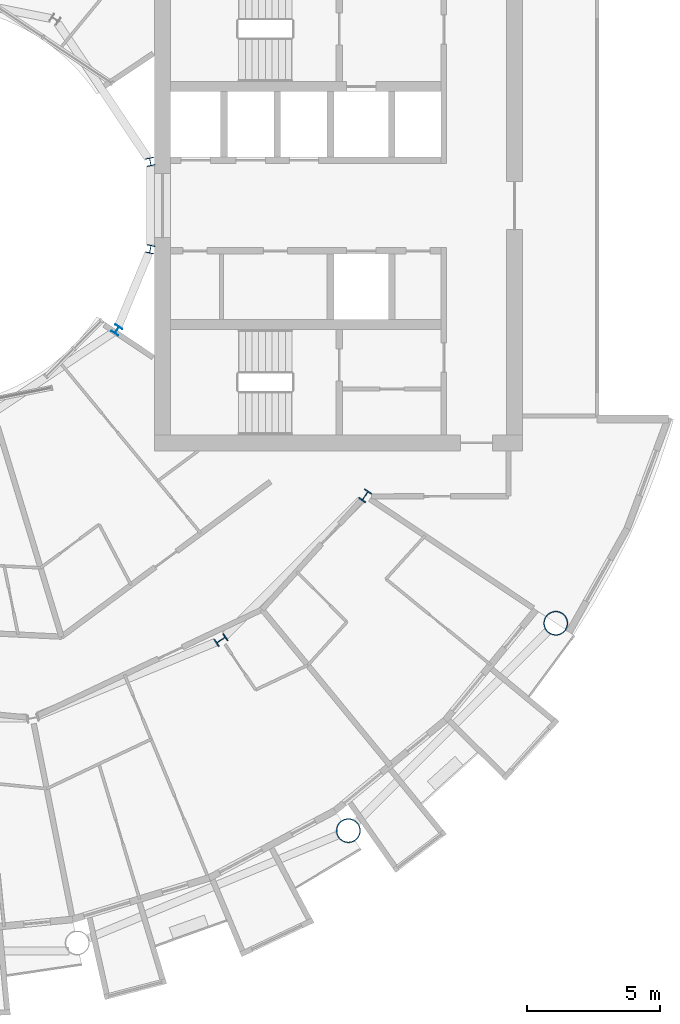
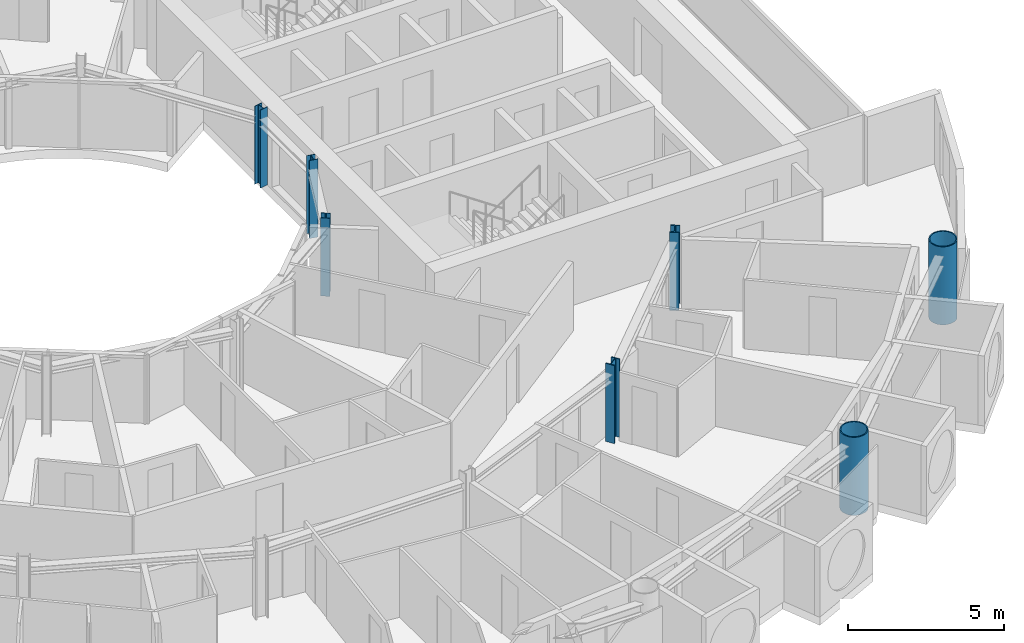
# One storey, part 2 of 27: 7 columns.
"""IFC4 building model written with IfcOpenShell, lengths in metres."""

from ifc_helpers import new_model, si_unit, direction, frame, origin, origin_2d, place, context, subcontext, project, spatial, hollow_circle, i_section, extrude, material, material_profile, profile_set, type_object, element, save


model = new_model("IFC4")

# Units and contexts
model_context = context("Model", 3, precision=1e-05, world=origin(), true_north=direction((0.0, 1.0)))
body_context = subcontext(model_context, "Body", "Model", "MODEL_VIEW")
ifc_project = project(units=[si_unit("LENGTHUNIT", "METRE"), si_unit("AREAUNIT", "SQUARE_METRE"), si_unit("VOLUMEUNIT", "CUBIC_METRE"), si_unit("PLANEANGLEUNIT", "RADIAN"), si_unit("MASSUNIT", "GRAM", prefix="KILO")], contexts=[model_context])

# Site, building, storey
site_placement = place(None, origin())
site = spatial("IfcSite", under=ifc_project, at=site_placement, CompositionType="ELEMENT")
building_placement = place(site_placement, origin())
building = spatial("IfcBuilding", under=site, at=building_placement, Name="Maasbend Ring Residences", CompositionType="ELEMENT")
storey_placement = place(building_placement, frame((0.0, 0.0, 114.699951171875)))
storey = spatial("IfcBuildingStorey", under=building, at=storey_placement, Name="L32", CompositionType="ELEMENT", Elevation=114.699951171875)

# Columns
ifc_material_1 = material(Name="Composite concrete-filled steel tube S460NH / C80/95", Category="concrete")
ifc_material_profile_1 = material_profile(ifc_material_1, hollow_circle(Radius=0.45703125, WallThickness=0.0400390625, at=origin_2d()), Name="Composite tube column CHS 914x40")
ifc_profile_set_1 = profile_set([ifc_material_profile_1], Name="Composite concrete-filled steel tube S460NH / C80/95")
column_type_1 = type_object("IfcColumnType", Name="Composite tube column CHS 914x40", PredefinedType="COLUMN", material=ifc_profile_set_1)
for number, where, z_axis, x_axis, name in (
    (1, (15.6669921875, -23.447509765625, 0.0), (0.0, 0.0, 1.0), (1.0, 0.0, 0.0), "Outer column R14"),
    (2, (23.447509765625, -15.6669921875, 0.0), (0.0, 0.0, 1.0), (1.0, 0.0, 0.0), "Outer column R15"),
):
    element("IfcColumn", number, at=place(storey_placement, frame(where, z_axis=z_axis, x_axis=x_axis)), inside=storey, type_object=column_type_1, Name=name, PredefinedType="COLUMN", context=body_context, shape_type="SweptSolid", body=[
        extrude(hollow_circle(Radius=0.45703125, WallThickness=0.0400390625, at=origin_2d()), origin(), (0.0, 0.0, 1.0), 3.050048828125),
    ])
ifc_material_2 = material(Name="Steel S355J2", Category="steel")
ifc_material_profile_2 = material_profile(ifc_material_2, i_section(OverallWidth=0.300048828125, OverallDepth=0.300048828125, WebThickness=0.010986328125, FlangeThickness=0.01904296875, FilletRadius=0.027099609375, at=origin_2d()), Name="HEB 300")
ifc_profile_set_2 = profile_set([ifc_material_profile_2], Name="Steel S355J2")
column_type_2 = type_object("IfcColumnType", Name="Steel column HEB 300", PredefinedType="COLUMN", material=ifc_profile_set_2)
for number, where, z_axis, x_axis, name in (
    (3, (8.238525390625, 1.638916015625, 0.0), (0.0, 0.0, 1.0), (0.980785280403, 0.195090322016, 0.0), "Well ring column R1"),
    (4, (6.984375, -4.666748046875, 0.0), (0.0, 0.0, 1.0), (0.831469612303, -0.55557023302, 0.0), "Well ring column R15"),
    (5, (8.238525390625, -1.638916015625, 0.0), (0.0, 0.0, 1.0), (0.980785280403, -0.195090322016, 0.0), "Well ring column R16"),
):
    element("IfcColumn", number, at=place(storey_placement, frame(where, z_axis=z_axis, x_axis=x_axis)), inside=storey, type_object=column_type_2, Name=name, PredefinedType="COLUMN", context=body_context, shape_type="SweptSolid", body=[
        extrude(i_section(OverallWidth=0.300048828125, OverallDepth=0.300048828125, WebThickness=0.010986328125, FlangeThickness=0.01904296875, FilletRadius=0.027099609375, at=origin_2d()), origin(), (0.0, 0.0, 1.0), 3.050048828125),
    ])
ifc_material_3 = material(Name="Steel S460M", Category="steel")
ifc_material_profile_3 = material_profile(ifc_material_3, i_section(OverallWidth=0.306884765625, OverallDepth=0.431884765625, WebThickness=0.02099609375, FlangeThickness=0.0400390625, FilletRadius=0.027099609375, at=origin_2d()), Name="HEM 400")
ifc_profile_set_3 = profile_set([ifc_material_profile_3], Name="Steel S460M")
column_type_3 = type_object("IfcColumnType", Name="Steel column HEM 400", PredefinedType="COLUMN", material=ifc_profile_set_3)
for number, where, z_axis, x_axis, name in (
    (6, (10.88916015625, -16.296875, 0.0), (0.0, 0.0, 1.0), (0.55557023302, -0.831469612303, 0.0), "Corridor ring column R14"),
    (7, (16.296875, -10.88916015625, 0.0), (0.0, 0.0, 1.0), (0.831469612303, -0.55557023302, 0.0), "Corridor ring column R15"),
):
    element("IfcColumn", number, at=place(storey_placement, frame(where, z_axis=z_axis, x_axis=x_axis)), inside=storey, type_object=column_type_3, Name=name, PredefinedType="COLUMN", context=body_context, shape_type="SweptSolid", body=[
        extrude(i_section(OverallWidth=0.306884765625, OverallDepth=0.431884765625, WebThickness=0.02099609375, FlangeThickness=0.0400390625, FilletRadius=0.027099609375, at=origin_2d()), origin(), (0.0, 0.0, 1.0), 3.050048828125),
    ])

save(model, "model.ifc")
